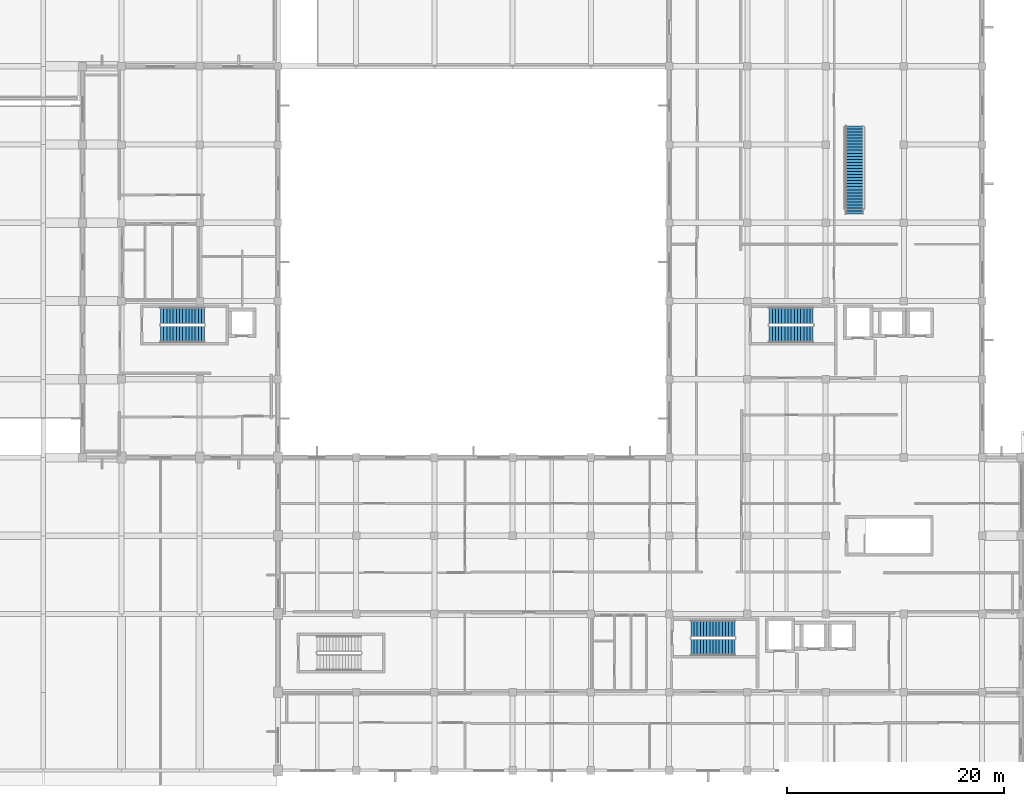
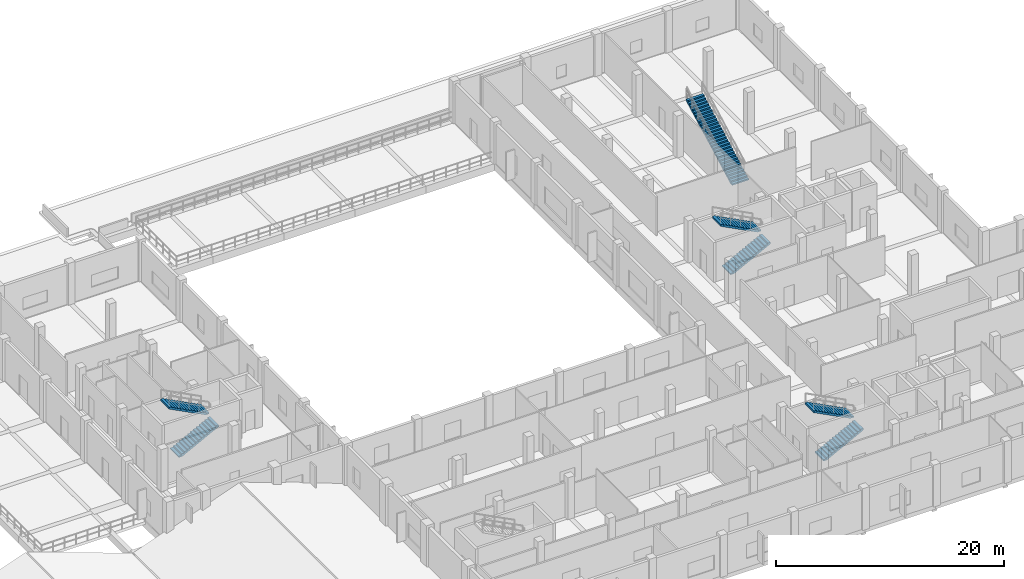
# One storey, part 18 of 24: 7 stair flights, 4 elements without a shape of their own.
"""IFC4 building model written with IfcOpenShell, lengths in metres."""

from ifc_helpers import new_model, si_unit, direction, frame, origin, place, context, subcontext, project, spatial, polyline, outline, extrude, material, type_object, element, aggregate, save


model = new_model("IFC4")

# Units and contexts
model_context = context("Model", 3, precision=1e-05, world=origin(), true_north=direction((0.0, 1.0)))
body_context = subcontext(model_context, "Body", "Model", "MODEL_VIEW")
ifc_project = project(units=[si_unit("LENGTHUNIT", "METRE"), si_unit("AREAUNIT", "SQUARE_METRE"), si_unit("VOLUMEUNIT", "CUBIC_METRE"), si_unit("PLANEANGLEUNIT", "RADIAN"), si_unit("MASSUNIT", "GRAM", prefix="KILO")], contexts=[model_context])

# Site, building, storey
site_placement = place(None, origin())
site = spatial("IfcSite", under=ifc_project, at=site_placement, CompositionType="ELEMENT")
building_placement = place(site_placement, origin())
building = spatial("IfcBuilding", under=site, at=building_placement, Name="Seraya Terrace Polytechnic", CompositionType="ELEMENT")
storey_placement = place(building_placement, frame((0.0, 0.0, 18.89990234375)))
storey = spatial("IfcBuildingStorey", under=building, at=storey_placement, Name="L04", CompositionType="ELEMENT", Elevation=18.89990234375)

# Stair, stair flights
ifc_material = material(Name="Concrete C40/50", Category="concrete")
stair_type_1 = type_object("IfcStairType", Name="ST-T2", PredefinedType="HALF_TURN_STAIR", material=ifc_material)
stair_1_placement = place(storey_placement, origin())
stair_1 = element("IfcStair", 1, at=stair_1_placement, inside=storey, type_object=stair_type_1, Name="L04 Protected exit stair ST-01", PredefinedType="HALF_TURN_STAIR")
stair_flight_type_1 = type_object("IfcStairFlightType", Name="SF-02", PredefinedType="STRAIGHT", material=ifc_material)
stair_flight_1_placement = place(storey_placement, frame((81.199951171875, 11.35009765625, 0.0), z_axis=(0.0, 0.0, 1.0), x_axis=(1.0, 0.0, 0.0)))
stair_flight_1 = element("IfcStairFlight", 2, at=stair_flight_1_placement, type_object=stair_flight_type_1, Name="ST-01 flight 1", NumberOfRisers=15, NumberOfTreads=14, PredefinedType="STRAIGHT", RiserHeight=0.15, TreadLength=0.29, context=body_context, shape_type="SweptSolid", body=[
    extrude(outline(polyline([(0.0, 0.0), (0.0, 0.14990234375), (0.2900390625, 0.14990234375), (0.2900390625, 0.300048828125), (0.580078125, 0.300048828125), (0.580078125, 0.449951171875), (0.8701171875, 0.449951171875), (0.8701171875, 0.60009765625), (1.159912109375, 0.60009765625), (1.159912109375, 0.75), (1.449951171875, 0.75), (1.449951171875, 0.89990234375), (1.739990234375, 0.89990234375), (1.739990234375, 1.050048828125), (2.030029296875, 1.050048828125), (2.030029296875, 1.199951171875), (2.320068359375, 1.199951171875), (2.320068359375, 1.35009765625), (2.610107421875, 1.35009765625), (2.610107421875, 1.5), (2.89990234375, 1.5), (2.89990234375, 1.64990234375), (3.18994140625, 1.64990234375), (3.18994140625, 1.800048828125), (3.47998046875, 1.800048828125), (3.47998046875, 1.949951171875), (3.77001953125, 1.949951171875), (3.77001953125, 2.10009765625), (4.06005859375, 2.10009765625), (4.06005859375, 2.25), (4.06005859375, 1.919921875), (0.34814453125, 0.0), (0.0, 0.0)])), frame((0.0, 0.75, 0.0), z_axis=(0.0, -1.0, 0.0), x_axis=(1.0, 0.0, 0.0)), (0.0, 0.0, 1.0), 1.5),
])
stair_flight_2_placement = place(storey_placement, frame((85.260009765625, 13.050048828125, 2.25), z_axis=(0.0, 0.0, 1.0), x_axis=(-1.0, 0.0, 0.0)))
stair_flight_2 = element("IfcStairFlight", 3, at=stair_flight_2_placement, type_object=stair_flight_type_1, Name="ST-01 flight 2", NumberOfRisers=15, NumberOfTreads=14, PredefinedType="STRAIGHT", RiserHeight=0.15, TreadLength=0.29, context=body_context, shape_type="SweptSolid", body=[
    extrude(outline(polyline([(0.0, 0.0), (0.0, 0.14990234375), (0.2900390625, 0.14990234375), (0.2900390625, 0.300048828125), (0.580078125, 0.300048828125), (0.580078125, 0.449951171875), (0.8701171875, 0.449951171875), (0.8701171875, 0.60009765625), (1.159912109375, 0.60009765625), (1.159912109375, 0.75), (1.449951171875, 0.75), (1.449951171875, 0.89990234375), (1.739990234375, 0.89990234375), (1.739990234375, 1.050048828125), (2.030029296875, 1.050048828125), (2.030029296875, 1.199951171875), (2.320068359375, 1.199951171875), (2.320068359375, 1.35009765625), (2.610107421875, 1.35009765625), (2.610107421875, 1.5), (2.89990234375, 1.5), (2.89990234375, 1.64990234375), (3.18994140625, 1.64990234375), (3.18994140625, 1.800048828125), (3.47998046875, 1.800048828125), (3.47998046875, 1.949951171875), (3.77001953125, 1.949951171875), (3.77001953125, 2.10009765625), (4.06005859375, 2.10009765625), (4.06005859375, 2.25), (4.06005859375, 1.919921875), (0.34814453125, 0.0), (0.0, 0.0)])), frame((0.0, 0.75, 0.0), z_axis=(0.0, -1.0, 0.0), x_axis=(1.0, 0.0, 0.0)), (0.0, 0.0, 1.0), 1.5),
])
aggregate(stair_1, [stair_flight_1, stair_flight_2])

stair_2_placement = place(storey_placement, origin())
stair_2 = element("IfcStair", 4, at=stair_2_placement, inside=storey, type_object=stair_type_1, Name="L04 Protected exit stair ST-02", PredefinedType="HALF_TURN_STAIR")
stair_flight_3_placement = place(storey_placement, frame((88.39990234375, 40.14990234375, 0.0), z_axis=(0.0, 0.0, 1.0), x_axis=(1.0, 0.0, 0.0)))
stair_flight_3 = element("IfcStairFlight", 5, at=stair_flight_3_placement, type_object=stair_flight_type_1, Name="ST-02 flight 1", NumberOfRisers=15, NumberOfTreads=14, PredefinedType="STRAIGHT", RiserHeight=0.15, TreadLength=0.29, context=body_context, shape_type="SweptSolid", body=[
    extrude(outline(polyline([(0.0, 0.0), (0.0, 0.14990234375), (0.2900390625, 0.14990234375), (0.2900390625, 0.300048828125), (0.580078125, 0.300048828125), (0.580078125, 0.449951171875), (0.8701171875, 0.449951171875), (0.8701171875, 0.60009765625), (1.159912109375, 0.60009765625), (1.159912109375, 0.75), (1.449951171875, 0.75), (1.449951171875, 0.89990234375), (1.739990234375, 0.89990234375), (1.739990234375, 1.050048828125), (2.030029296875, 1.050048828125), (2.030029296875, 1.199951171875), (2.320068359375, 1.199951171875), (2.320068359375, 1.35009765625), (2.610107421875, 1.35009765625), (2.610107421875, 1.5), (2.89990234375, 1.5), (2.89990234375, 1.64990234375), (3.18994140625, 1.64990234375), (3.18994140625, 1.800048828125), (3.47998046875, 1.800048828125), (3.47998046875, 1.949951171875), (3.77001953125, 1.949951171875), (3.77001953125, 2.10009765625), (4.06005859375, 2.10009765625), (4.06005859375, 2.25), (4.06005859375, 1.919921875), (0.34814453125, 0.0), (0.0, 0.0)])), frame((0.0, 0.75, 0.0), z_axis=(0.0, -1.0, 0.0), x_axis=(1.0, 0.0, 0.0)), (0.0, 0.0, 1.0), 1.5),
])
stair_flight_4_placement = place(storey_placement, frame((92.4599609375, 41.85009765625, 2.25), z_axis=(0.0, 0.0, 1.0), x_axis=(-1.0, 0.0, 0.0)))
stair_flight_4 = element("IfcStairFlight", 6, at=stair_flight_4_placement, type_object=stair_flight_type_1, Name="ST-02 flight 2", NumberOfRisers=15, NumberOfTreads=14, PredefinedType="STRAIGHT", RiserHeight=0.15, TreadLength=0.29, context=body_context, shape_type="SweptSolid", body=[
    extrude(outline(polyline([(0.0, 0.0), (0.0, 0.14990234375), (0.2900390625, 0.14990234375), (0.2900390625, 0.300048828125), (0.580078125, 0.300048828125), (0.580078125, 0.449951171875), (0.8701171875, 0.449951171875), (0.8701171875, 0.60009765625), (1.159912109375, 0.60009765625), (1.159912109375, 0.75), (1.449951171875, 0.75), (1.449951171875, 0.89990234375), (1.739990234375, 0.89990234375), (1.739990234375, 1.050048828125), (2.030029296875, 1.050048828125), (2.030029296875, 1.199951171875), (2.320068359375, 1.199951171875), (2.320068359375, 1.35009765625), (2.610107421875, 1.35009765625), (2.610107421875, 1.5), (2.89990234375, 1.5), (2.89990234375, 1.64990234375), (3.18994140625, 1.64990234375), (3.18994140625, 1.800048828125), (3.47998046875, 1.800048828125), (3.47998046875, 1.949951171875), (3.77001953125, 1.949951171875), (3.77001953125, 2.10009765625), (4.06005859375, 2.10009765625), (4.06005859375, 2.25), (4.06005859375, 1.919921875), (0.34814453125, 0.0), (0.0, 0.0)])), frame((0.0, 0.75, 0.0), z_axis=(0.0, -1.0, 0.0), x_axis=(1.0, 0.0, 0.0)), (0.0, 0.0, 1.0), 1.5),
])
aggregate(stair_2, [stair_flight_3, stair_flight_4])

stair_3_placement = place(storey_placement, origin())
stair_3 = element("IfcStair", 7, at=stair_3_placement, inside=storey, type_object=stair_type_1, Name="L04 Protected exit stair ST-04", PredefinedType="HALF_TURN_STAIR")
stair_flight_5_placement = place(storey_placement, frame((32.39990234375, 40.14990234375, 0.0), z_axis=(0.0, 0.0, 1.0), x_axis=(1.0, 0.0, 0.0)))
stair_flight_5 = element("IfcStairFlight", 8, at=stair_flight_5_placement, type_object=stair_flight_type_1, Name="ST-04 flight 1", NumberOfRisers=15, NumberOfTreads=14, PredefinedType="STRAIGHT", RiserHeight=0.15, TreadLength=0.29, context=body_context, shape_type="SweptSolid", body=[
    extrude(outline(polyline([(0.0, 0.0), (0.0, 0.14990234375), (0.2900390625, 0.14990234375), (0.2900390625, 0.300048828125), (0.580078125, 0.300048828125), (0.580078125, 0.449951171875), (0.8701171875, 0.449951171875), (0.8701171875, 0.60009765625), (1.159912109375, 0.60009765625), (1.159912109375, 0.75), (1.449951171875, 0.75), (1.449951171875, 0.89990234375), (1.739990234375, 0.89990234375), (1.739990234375, 1.050048828125), (2.030029296875, 1.050048828125), (2.030029296875, 1.199951171875), (2.320068359375, 1.199951171875), (2.320068359375, 1.35009765625), (2.610107421875, 1.35009765625), (2.610107421875, 1.5), (2.89990234375, 1.5), (2.89990234375, 1.64990234375), (3.18994140625, 1.64990234375), (3.18994140625, 1.800048828125), (3.47998046875, 1.800048828125), (3.47998046875, 1.949951171875), (3.77001953125, 1.949951171875), (3.77001953125, 2.10009765625), (4.06005859375, 2.10009765625), (4.06005859375, 2.25), (4.06005859375, 1.919921875), (0.34814453125, 0.0), (0.0, 0.0)])), frame((0.0, 0.75, 0.0), z_axis=(0.0, -1.0, 0.0), x_axis=(1.0, 0.0, 0.0)), (0.0, 0.0, 1.0), 1.5),
])
stair_flight_6_placement = place(storey_placement, frame((36.4599609375, 41.85009765625, 2.25), z_axis=(0.0, 0.0, 1.0), x_axis=(-1.0, 0.0, 0.0)))
stair_flight_6 = element("IfcStairFlight", 9, at=stair_flight_6_placement, type_object=stair_flight_type_1, Name="ST-04 flight 2", NumberOfRisers=15, NumberOfTreads=14, PredefinedType="STRAIGHT", RiserHeight=0.15, TreadLength=0.29, context=body_context, shape_type="SweptSolid", body=[
    extrude(outline(polyline([(0.0, 0.0), (0.0, 0.14990234375), (0.2900390625, 0.14990234375), (0.2900390625, 0.300048828125), (0.580078125, 0.300048828125), (0.580078125, 0.449951171875), (0.8701171875, 0.449951171875), (0.8701171875, 0.60009765625), (1.159912109375, 0.60009765625), (1.159912109375, 0.75), (1.449951171875, 0.75), (1.449951171875, 0.89990234375), (1.739990234375, 0.89990234375), (1.739990234375, 1.050048828125), (2.030029296875, 1.050048828125), (2.030029296875, 1.199951171875), (2.320068359375, 1.199951171875), (2.320068359375, 1.35009765625), (2.610107421875, 1.35009765625), (2.610107421875, 1.5), (2.89990234375, 1.5), (2.89990234375, 1.64990234375), (3.18994140625, 1.64990234375), (3.18994140625, 1.800048828125), (3.47998046875, 1.800048828125), (3.47998046875, 1.949951171875), (3.77001953125, 1.949951171875), (3.77001953125, 2.10009765625), (4.06005859375, 2.10009765625), (4.06005859375, 2.25), (4.06005859375, 1.919921875), (0.34814453125, 0.0), (0.0, 0.0)])), frame((0.0, 0.75, 0.0), z_axis=(0.0, -1.0, 0.0), x_axis=(1.0, 0.0, 0.0)), (0.0, 0.0, 1.0), 1.5),
])
aggregate(stair_3, [stair_flight_5, stair_flight_6])

# Stair, stair flight
stair_type_2 = type_object("IfcStairType", Name="ST-T4", PredefinedType="STRAIGHT_RUN_STAIR", material=ifc_material)
stair_4_placement = place(storey_placement, origin())
stair_4 = element("IfcStair", 10, at=stair_4_placement, inside=storey, type_object=stair_type_2, Name="Architectural straight stair ST-16 L04", PredefinedType="STRAIGHT_RUN_STAIR")
stair_flight_type_2 = type_object("IfcStairFlightType", Name="SF-04", PredefinedType="STRAIGHT", material=ifc_material)
stair_flight_7_placement = place(storey_placement, frame((96.239990234375, 51.199951171875, 0.0), z_axis=(0.0, 0.0, 1.0), x_axis=(0.0, 1.0, 0.0)))
stair_flight_7 = element("IfcStairFlight", 11, at=stair_flight_7_placement, type_object=stair_flight_type_2, Name="ST-16 flight 1", NumberOfRisers=30, NumberOfTreads=29, PredefinedType="STRAIGHT", RiserHeight=0.15, TreadLength=0.28, context=body_context, shape_type="SweptSolid", body=[
    extrude(outline(polyline([(0.0, 0.0), (0.0, 0.14990234375), (0.280029296875, 0.14990234375), (0.280029296875, 0.300048828125), (0.56005859375, 0.300048828125), (0.56005859375, 0.449951171875), (0.840087890625, 0.449951171875), (0.840087890625, 0.60009765625), (1.1201171875, 0.60009765625), (1.1201171875, 0.75), (1.39990234375, 0.75), (1.39990234375, 0.89990234375), (1.679931640625, 0.89990234375), (1.679931640625, 1.050048828125), (1.9599609375, 1.050048828125), (1.9599609375, 1.199951171875), (2.239990234375, 1.199951171875), (2.239990234375, 1.35009765625), (2.52001953125, 1.35009765625), (2.52001953125, 1.5), (2.800048828125, 1.5), (2.800048828125, 1.64990234375), (3.080078125, 1.64990234375), (3.080078125, 1.800048828125), (3.360107421875, 1.800048828125), (3.360107421875, 1.949951171875), (3.639892578125, 1.949951171875), (3.639892578125, 2.10009765625), (3.919921875, 2.10009765625), (3.919921875, 2.25), (4.199951171875, 2.25), (4.199951171875, 2.39990234375), (4.47998046875, 2.39990234375), (4.47998046875, 2.550048828125), (4.760009765625, 2.550048828125), (4.760009765625, 2.699951171875), (5.0400390625, 2.699951171875), (5.0400390625, 2.85009765625), (5.320068359375, 2.85009765625), (5.320068359375, 3.0), (5.60009765625, 3.0), (5.60009765625, 3.14990234375), (5.8798828125, 3.14990234375), (5.8798828125, 3.300048828125), (6.159912109375, 3.300048828125), (6.159912109375, 3.449951171875), (6.43994140625, 3.449951171875), (6.43994140625, 3.60009765625), (6.719970703125, 3.60009765625), (6.719970703125, 3.75), (7.0, 3.75), (7.0, 3.89990234375), (7.280029296875, 3.89990234375), (7.280029296875, 4.050048828125), (7.56005859375, 4.050048828125), (7.56005859375, 4.199951171875), (7.840087890625, 4.199951171875), (7.840087890625, 4.35009765625), (8.1201171875, 4.35009765625), (8.1201171875, 4.5), (8.1201171875, 4.14599609375), (0.381103515625, 0.0), (0.0, 0.0)])), frame((0.0, 0.83984375, 0.0), z_axis=(0.0, -1.0, 0.0), x_axis=(1.0, 0.0, 0.0)), (0.0, 0.0, 1.0), 1.679931640625),
])
aggregate(stair_4, [stair_flight_7])

save(model, "model.ifc")
